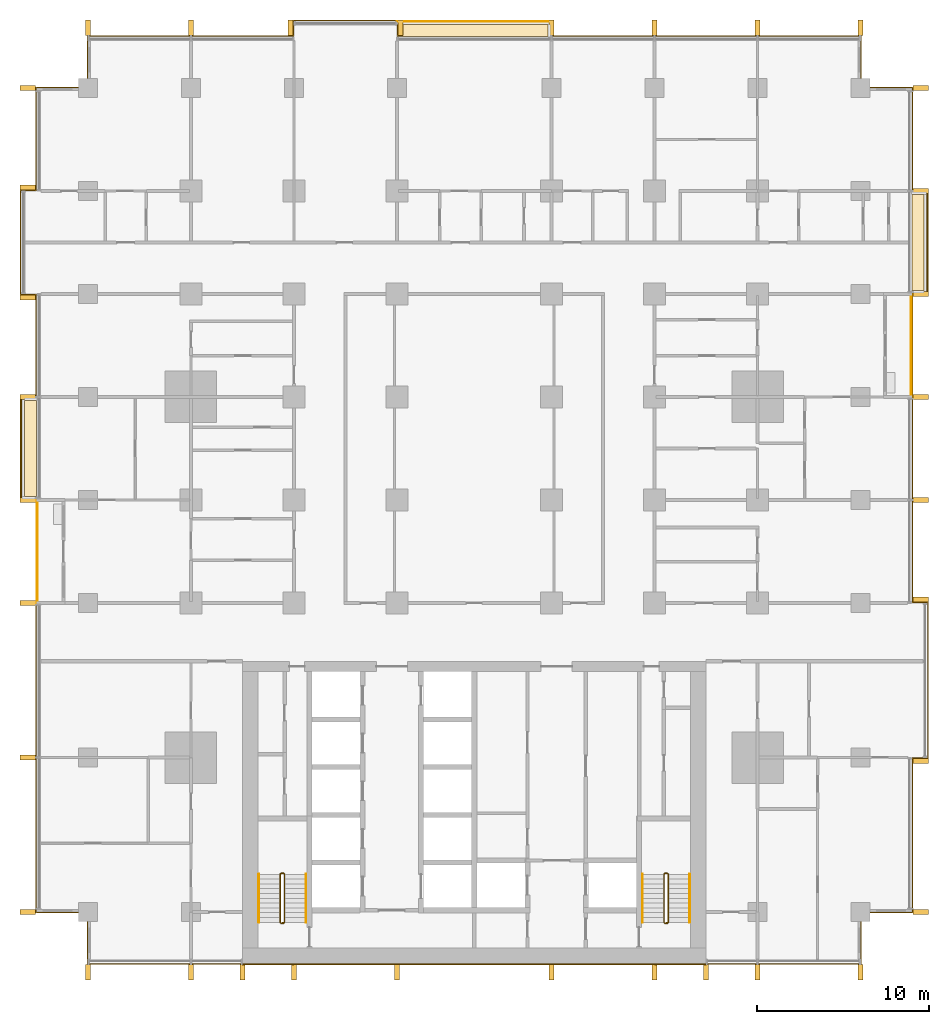
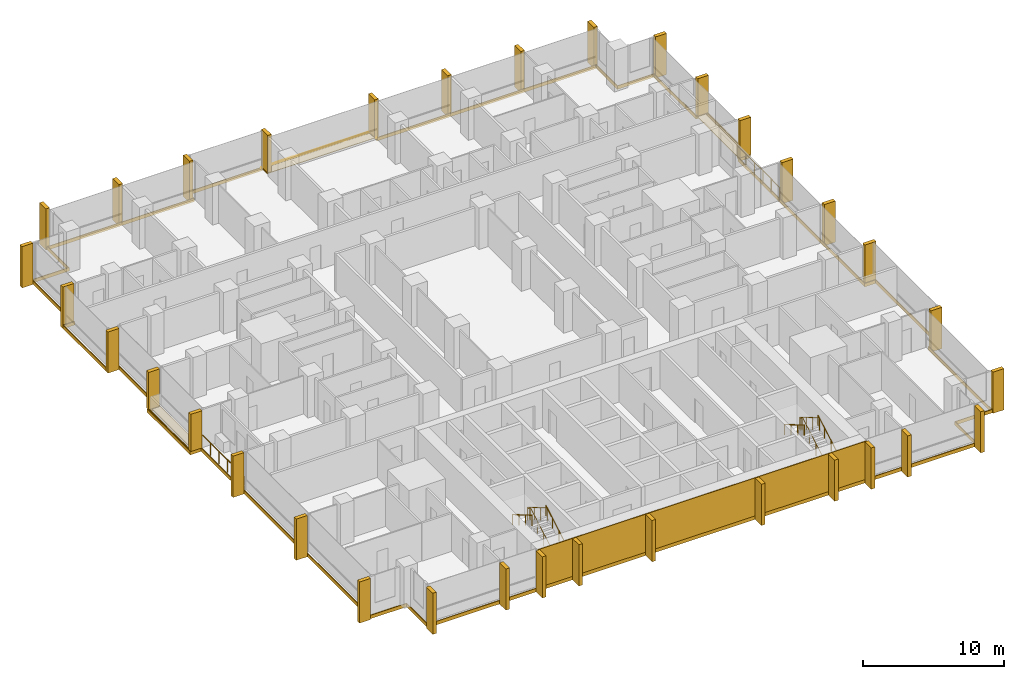
# One storey, part 18 of 18: 34 shading devices, 12 coverings, 8 railings.
"""IFC4 building model written with IfcOpenShell, lengths in metres."""

from ifc_helpers import new_model, si_unit, direction, frame, origin, origin_2d, place, context, subcontext, project, spatial, polyline, rectangle, circle, outline, extrude, material, layer, layer_set, type_object, element, save


model = new_model("IFC4")

# Units and contexts
model_context = context("Model", 3, precision=1e-05, world=origin(), true_north=direction((0.0, 1.0)))
body_context = subcontext(model_context, "Body", "Model", "MODEL_VIEW")
ifc_project = project(units=[si_unit("LENGTHUNIT", "METRE"), si_unit("AREAUNIT", "SQUARE_METRE"), si_unit("VOLUMEUNIT", "CUBIC_METRE"), si_unit("PLANEANGLEUNIT", "RADIAN"), si_unit("MASSUNIT", "GRAM", prefix="KILO")], contexts=[model_context])

# Site, building, storey
site_placement = place(None, origin())
site = spatial("IfcSite", under=ifc_project, at=site_placement, CompositionType="ELEMENT")
building_placement = place(site_placement, origin())
building = spatial("IfcBuilding", under=site, at=building_placement, Name="Finial Court Residences", CompositionType="ELEMENT")
storey_placement = place(building_placement, frame((0.0, 0.0, 36.10009765625)))
storey = spatial("IfcBuildingStorey", under=building, at=storey_placement, Name="L07", CompositionType="ELEMENT", Elevation=36.10009765625)

# Railings
ifc_material_1 = material(Name="Bronze anodised aluminium", Category="aluminium")
railing_type_1 = type_object("IfcRailingType", Name="Balcony guard 1100", PredefinedType="GUARDRAIL", material=ifc_material_1)
for number, where, name in (
    (1, (25.449951171875, 7.5, 0.0), "E-L07-BALE5-R"),
    (2, (-25.449951171875, -4.5, 0.0), "E-L07-BALW3-R"),
):
    element("IfcRailing", number, at=place(storey_placement, frame(where)), inside=storey, type_object=railing_type_1, Name=name, PredefinedType="GUARDRAIL", context=body_context, shape_type="SweptSolid", body=[
        extrude(circle(Radius=0.02392578125, at=origin_2d()), frame((0.0, 0.0, 1.076171875), z_axis=(0.0, 1.0, 0.0), x_axis=(-1.0, 0.0, 0.0)), (0.0, 0.0, 1.0), 6.0),
        extrude(circle(Radius=0.02099609375, at=origin_2d()), origin(), (0.0, 0.0, 1.0), 1.052001953125),
        extrude(circle(Radius=0.02099609375, at=origin_2d()), frame((0.0, 1.199951171875, 0.0)), (0.0, 0.0, 1.0), 1.052001953125),
        extrude(circle(Radius=0.02099609375, at=origin_2d()), frame((0.0, 2.39990234375, 0.0)), (0.0, 0.0, 1.0), 1.052001953125),
        extrude(circle(Radius=0.02099609375, at=origin_2d()), frame((0.0, 3.60009765625, 0.0)), (0.0, 0.0, 1.0), 1.052001953125),
        extrude(circle(Radius=0.02099609375, at=origin_2d()), frame((0.0, 4.800048828125, 0.0)), (0.0, 0.0, 1.0), 1.052001953125),
        extrude(circle(Radius=0.02099609375, at=origin_2d()), frame((0.0, 6.0, 0.0)), (0.0, 0.0, 1.0), 1.052001953125),
    ])

# Coverings
ifc_material_2 = material(Name="Natural limestone", Category="masonry")
ifc_layer_1 = layer(ifc_material_2, 0.06005859375)
ifc_layer_set_1 = layer_set([ifc_layer_1], Name="Limestone cladding to the blind core face 60")
covering_type_1 = type_object("IfcCoveringType", Name="Limestone cladding to the blind core face 60", PredefinedType="CLADDING", material=ifc_layer_set_1)
covering_1_placement = place(storey_placement, origin())
element("IfcCovering", 3, at=covering_1_placement, inside=storey, type_object=covering_type_1, Name="E-L07-CLAD1", PredefinedType="CLADDING", context=body_context, shape_type="SweptSolid", body=[
    extrude(outline(polyline([(-10.5, -25.56005859375), (-10.5, -25.5), (-13.5, -25.5), (-13.5, -25.56005859375), (-10.5, -25.56005859375)])), origin(), (0.0, 0.0, 1.0), 3.2998046875),
])
covering_2_placement = place(storey_placement, origin())
element("IfcCovering", 4, at=covering_2_placement, inside=storey, type_object=covering_type_1, Name="E-L07-CLAD2", PredefinedType="CLADDING", context=body_context, shape_type="SweptSolid", body=[
    extrude(outline(polyline([(-4.5, -25.56005859375), (-4.5, -25.5), (-10.5, -25.5), (-10.5, -25.56005859375), (-4.5, -25.56005859375)])), origin(), (0.0, 0.0, 1.0), 3.2998046875),
])
covering_3_placement = place(storey_placement, origin())
element("IfcCovering", 5, at=covering_3_placement, inside=storey, type_object=covering_type_1, Name="E-L07-CLAD3", PredefinedType="CLADDING", context=body_context, shape_type="SweptSolid", body=[
    extrude(outline(polyline([(4.5, -25.56005859375), (4.5, -25.5), (-4.5, -25.5), (-4.5, -25.56005859375), (4.5, -25.56005859375)])), origin(), (0.0, 0.0, 1.0), 3.2998046875),
])
covering_4_placement = place(storey_placement, origin())
element("IfcCovering", 6, at=covering_4_placement, inside=storey, type_object=covering_type_1, Name="E-L07-CLAD4", PredefinedType="CLADDING", context=body_context, shape_type="SweptSolid", body=[
    extrude(outline(polyline([(10.5, -25.56005859375), (10.5, -25.5), (4.5, -25.5), (4.5, -25.56005859375), (10.5, -25.56005859375)])), origin(), (0.0, 0.0, 1.0), 3.2998046875),
])
covering_5_placement = place(storey_placement, origin())
element("IfcCovering", 7, at=covering_5_placement, inside=storey, type_object=covering_type_1, Name="E-L07-CLAD5", PredefinedType="CLADDING", context=body_context, shape_type="SweptSolid", body=[
    extrude(outline(polyline([(13.5, -25.56005859375), (13.5, -25.5), (10.5, -25.5), (10.5, -25.56005859375), (13.5, -25.56005859375)])), origin(), (0.0, 0.0, 1.0), 3.2998046875),
])

# Shading devices
shading_device_type = type_object("IfcShadingDeviceType", Name="Limestone fin 300 x 900", PredefinedType="USERDEFINED", material=ifc_material_2)
for number, where, z_axis, x_axis, name in (
    (8, (-22.5, 29.010009765625, -0.300048828125), (0.0, 0.0, 1.0), (1.0, 0.0, 0.0), "E-L07-FIN-N1"),
    (9, (-16.5, 29.010009765625, -0.300048828125), (0.0, 0.0, 1.0), (1.0, 0.0, 0.0), "E-L07-FIN-N2"),
    (10, (-10.7099609375, 29.010009765625, -0.300048828125), (0.0, 0.0, 1.0), (1.0, 0.0, 0.0), "E-L07-FIN-N3"),
):
    element("IfcShadingDevice", number, at=place(storey_placement, frame(where, z_axis=z_axis, x_axis=x_axis)), inside=storey, type_object=shading_device_type, Name=name, ObjectType="FIN", PredefinedType="USERDEFINED", context=body_context, shape_type="SweptSolid", body=[
        extrude(rectangle(XDim=0.300048828125, YDim=0.89990234375, at=origin_2d()), origin(), (0.0, 0.0, 1.0), 3.580078125),
    ])
for number, where, z_axis, x_axis, name in (
    (11, (-4.2900390625, 29.010009765625, 0.0400390625), (0.0, 0.0, 1.0), (1.0, 0.0, 0.0), "E-L07-FIN-N4"),
    (12, (4.5, 29.010009765625, 0.0400390625), (0.0, 0.0, 1.0), (1.0, 0.0, 0.0), "E-L07-FIN-N5"),
):
    element("IfcShadingDevice", number, at=place(storey_placement, frame(where, z_axis=z_axis, x_axis=x_axis)), inside=storey, type_object=shading_device_type, Name=name, ObjectType="FIN", PredefinedType="USERDEFINED", context=body_context, shape_type="SweptSolid", body=[
        extrude(rectangle(XDim=0.300048828125, YDim=0.89990234375, at=origin_2d()), origin(), (0.0, 0.0, 1.0), 3.239990234375),
    ])
for number, where, z_axis, x_axis, name in (
    (13, (10.5, 29.010009765625, -0.300048828125), (0.0, 0.0, 1.0), (1.0, 0.0, 0.0), "E-L07-FIN-N6"),
    (14, (16.5, 29.010009765625, -0.300048828125), (0.0, 0.0, 1.0), (1.0, 0.0, 0.0), "E-L07-FIN-N7"),
    (15, (22.5, 29.010009765625, -0.300048828125), (0.0, 0.0, 1.0), (1.0, 0.0, 0.0), "E-L07-FIN-N8"),
):
    element("IfcShadingDevice", number, at=place(storey_placement, frame(where, z_axis=z_axis, x_axis=x_axis)), inside=storey, type_object=shading_device_type, Name=name, ObjectType="FIN", PredefinedType="USERDEFINED", context=body_context, shape_type="SweptSolid", body=[
        extrude(rectangle(XDim=0.300048828125, YDim=0.89990234375, at=origin_2d()), origin(), (0.0, 0.0, 1.0), 3.580078125),
    ])
for number, where, z_axis, x_axis, name in (
    (16, (26.010009765625, -22.5, -0.300048828125), (0.0, 0.0, 1.0), (1.0, 0.0, 0.0), "E-L07-FIN-E9"),
    (17, (26.010009765625, -13.7099609375, -0.300048828125), (0.0, 0.0, 1.0), (1.0, 0.0, 0.0), "E-L07-FIN-E10"),
    (18, (26.010009765625, -4.2900390625, -0.300048828125), (0.0, 0.0, 1.0), (1.0, 0.0, 0.0), "E-L07-FIN-E11"),
    (19, (26.010009765625, 1.5, -0.300048828125), (0.0, 0.0, 1.0), (1.0, 0.0, 0.0), "E-L07-FIN-E12"),
    (20, (26.010009765625, 7.5, -0.300048828125), (0.0, 0.0, 1.0), (1.0, 0.0, 0.0), "E-L07-FIN-E13"),
):
    element("IfcShadingDevice", number, at=place(storey_placement, frame(where, z_axis=z_axis, x_axis=x_axis)), inside=storey, type_object=shading_device_type, Name=name, ObjectType="FIN", PredefinedType="USERDEFINED", context=body_context, shape_type="SweptSolid", body=[
        extrude(rectangle(XDim=0.89990234375, YDim=0.300048828125, at=origin_2d()), origin(), (0.0, 0.0, 1.0), 3.580078125),
    ])
for number, where, z_axis, x_axis, name in (
    (21, (26.010009765625, 13.5, 0.0400390625), (0.0, 0.0, 1.0), (1.0, 0.0, 0.0), "E-L07-FIN-E14"),
    (22, (26.010009765625, 19.5, 0.0400390625), (0.0, 0.0, 1.0), (1.0, 0.0, 0.0), "E-L07-FIN-E15"),
):
    element("IfcShadingDevice", number, at=place(storey_placement, frame(where, z_axis=z_axis, x_axis=x_axis)), inside=storey, type_object=shading_device_type, Name=name, ObjectType="FIN", PredefinedType="USERDEFINED", context=body_context, shape_type="SweptSolid", body=[
        extrude(rectangle(XDim=0.89990234375, YDim=0.300048828125, at=origin_2d()), origin(), (0.0, 0.0, 1.0), 3.239990234375),
    ])
shading_device_placement = place(storey_placement, frame((26.010009765625, 25.5, -0.300048828125), z_axis=(0.0, 0.0, 1.0), x_axis=(1.0, 0.0, 0.0)))
element("IfcShadingDevice", 23, at=shading_device_placement, inside=storey, type_object=shading_device_type, Name="E-L07-FIN-E16", ObjectType="FIN", PredefinedType="USERDEFINED", context=body_context, shape_type="SweptSolid", body=[
    extrude(rectangle(XDim=0.89990234375, YDim=0.300048828125, at=origin_2d()), origin(), (0.0, 0.0, 1.0), 3.580078125),
])
for number, where, z_axis, x_axis, name in (
    (24, (-22.5, -26.010009765625, -0.300048828125), (0.0, 0.0, 1.0), (1.0, 0.0, 0.0), "E-L07-FIN-S17"),
    (25, (-16.5, -26.010009765625, -0.300048828125), (0.0, 0.0, 1.0), (1.0, 0.0, 0.0), "E-L07-FIN-S18"),
    (26, (-13.5, -26.010009765625, -0.300048828125), (0.0, 0.0, 1.0), (1.0, 0.0, 0.0), "E-L07-FIN-S19"),
    (27, (-10.5, -26.010009765625, -0.300048828125), (0.0, 0.0, 1.0), (1.0, 0.0, 0.0), "E-L07-FIN-S20"),
    (28, (-4.5, -26.010009765625, -0.300048828125), (0.0, 0.0, 1.0), (1.0, 0.0, 0.0), "E-L07-FIN-S21"),
    (29, (4.5, -26.010009765625, -0.300048828125), (0.0, 0.0, 1.0), (1.0, 0.0, 0.0), "E-L07-FIN-S22"),
    (30, (10.5, -26.010009765625, -0.300048828125), (0.0, 0.0, 1.0), (1.0, 0.0, 0.0), "E-L07-FIN-S23"),
    (31, (13.5, -26.010009765625, -0.300048828125), (0.0, 0.0, 1.0), (1.0, 0.0, 0.0), "E-L07-FIN-S24"),
    (32, (16.5, -26.010009765625, -0.300048828125), (0.0, 0.0, 1.0), (1.0, 0.0, 0.0), "E-L07-FIN-S25"),
    (33, (22.5, -26.010009765625, -0.300048828125), (0.0, 0.0, 1.0), (1.0, 0.0, 0.0), "E-L07-FIN-S26"),
):
    element("IfcShadingDevice", number, at=place(storey_placement, frame(where, z_axis=z_axis, x_axis=x_axis)), inside=storey, type_object=shading_device_type, Name=name, ObjectType="FIN", PredefinedType="USERDEFINED", context=body_context, shape_type="SweptSolid", body=[
        extrude(rectangle(XDim=0.300048828125, YDim=0.89990234375, at=origin_2d()), origin(), (0.0, 0.0, 1.0), 3.580078125),
    ])
for number, where, z_axis, x_axis, name in (
    (34, (-26.010009765625, -22.5, -0.300048828125), (0.0, 0.0, 1.0), (1.0, 0.0, 0.0), "E-L07-FIN-W27"),
    (35, (-26.010009765625, -13.5, -0.300048828125), (0.0, 0.0, 1.0), (1.0, 0.0, 0.0), "E-L07-FIN-W28"),
    (36, (-26.010009765625, -4.5, -0.300048828125), (0.0, 0.0, 1.0), (1.0, 0.0, 0.0), "E-L07-FIN-W29"),
):
    element("IfcShadingDevice", number, at=place(storey_placement, frame(where, z_axis=z_axis, x_axis=x_axis)), inside=storey, type_object=shading_device_type, Name=name, ObjectType="FIN", PredefinedType="USERDEFINED", context=body_context, shape_type="SweptSolid", body=[
        extrude(rectangle(XDim=0.89990234375, YDim=0.300048828125, at=origin_2d()), origin(), (0.0, 0.0, 1.0), 3.580078125),
    ])
for number, where, z_axis, x_axis, name in (
    (37, (-26.010009765625, 1.5, 0.0400390625), (0.0, 0.0, 1.0), (1.0, 0.0, 0.0), "E-L07-FIN-W30"),
    (38, (-26.010009765625, 7.5, 0.0400390625), (0.0, 0.0, 1.0), (1.0, 0.0, 0.0), "E-L07-FIN-W31"),
):
    element("IfcShadingDevice", number, at=place(storey_placement, frame(where, z_axis=z_axis, x_axis=x_axis)), inside=storey, type_object=shading_device_type, Name=name, ObjectType="FIN", PredefinedType="USERDEFINED", context=body_context, shape_type="SweptSolid", body=[
        extrude(rectangle(XDim=0.89990234375, YDim=0.300048828125, at=origin_2d()), origin(), (0.0, 0.0, 1.0), 3.239990234375),
    ])
for number, where, z_axis, x_axis, name in (
    (39, (-26.010009765625, 13.2900390625, -0.300048828125), (0.0, 0.0, 1.0), (1.0, 0.0, 0.0), "E-L07-FIN-W32"),
    (40, (-26.010009765625, 19.7099609375, -0.300048828125), (0.0, 0.0, 1.0), (1.0, 0.0, 0.0), "E-L07-FIN-W33"),
    (41, (-26.010009765625, 25.5, -0.300048828125), (0.0, 0.0, 1.0), (1.0, 0.0, 0.0), "E-L07-FIN-W34"),
):
    element("IfcShadingDevice", number, at=place(storey_placement, frame(where, z_axis=z_axis, x_axis=x_axis)), inside=storey, type_object=shading_device_type, Name=name, ObjectType="FIN", PredefinedType="USERDEFINED", context=body_context, shape_type="SweptSolid", body=[
        extrude(rectangle(XDim=0.89990234375, YDim=0.300048828125, at=origin_2d()), origin(), (0.0, 0.0, 1.0), 3.580078125),
    ])

# Coverings
ifc_material_3 = material(Name="Pale limestone", Category="masonry")
ifc_layer_2 = layer(ifc_material_3, 0.06005859375)
ifc_layer_set_2 = layer_set([ifc_layer_2], Name="Pale limestone slab-edge band 60")
covering_type_2 = type_object("IfcCoveringType", Name="Pale limestone slab-edge band 60", PredefinedType="CLADDING", material=ifc_layer_set_2)
covering_6_placement = place(storey_placement, frame((0.0, 0.0, -0.300048828125)))
element("IfcCovering", 42, at=covering_6_placement, inside=storey, type_object=covering_type_2, Name="E-L07-BAND1", PredefinedType="CLADDING", context=body_context, shape_type="SweptSolid", body=[
    extrude(outline(polyline([(-26.4599609375, 7.56005859375), (-25.56005859375, 7.56005859375), (-25.56005859375, 13.43994140625), (-26.4599609375, 13.43994140625), (-26.4599609375, 19.56005859375), (-25.56005859375, 19.56005859375), (-25.56005859375, 25.56005859375), (-22.56005859375, 25.56005859375), (-22.56005859375, 28.56005859375), (-10.56005859375, 28.56005859375), (-10.56005859375, 29.4599609375), (4.56005859375, 29.4599609375), (4.56005859375, 28.56005859375), (22.56005859375, 28.56005859375), (22.56005859375, 25.56005859375), (25.56005859375, 25.56005859375), (25.56005859375, 19.56005859375), (26.4599609375, 19.56005859375), (26.4599609375, 13.43994140625), (25.56005859375, 13.43994140625), (25.56005859375, -4.43994140625), (26.4599609375, -4.43994140625), (26.4599609375, -13.56005859375), (25.56005859375, -13.56005859375), (25.56005859375, -22.56005859375), (22.56005859375, -22.56005859375), (22.56005859375, -25.56005859375), (-22.56005859375, -25.56005859375), (-22.56005859375, -22.56005859375), (-25.56005859375, -22.56005859375), (-25.56005859375, 1.43994140625), (-26.4599609375, 1.43994140625), (-26.4599609375, 7.56005859375)]), holes=[polyline([(-25.5, 1.5), (-25.5, -4.5), (-25.5, -22.5), (-22.5, -22.5), (-22.5, -25.5), (22.5, -25.5), (22.5, -22.5), (25.5, -22.5), (25.5, -13.5), (26.39990234375, -13.5), (26.39990234375, -4.5), (25.5, -4.5), (25.5, 7.5), (25.5, 13.5), (26.39990234375, 13.5), (26.39990234375, 19.5), (25.5, 19.5), (25.5, 25.5), (22.5, 25.5), (22.5, 28.5), (4.5, 28.5), (4.5, 29.39990234375), (-4.5, 29.39990234375), (-10.5, 29.39990234375), (-10.5, 28.5), (-22.5, 28.5), (-22.5, 25.5), (-25.5, 25.5), (-25.5, 19.5), (-26.39990234375, 19.5), (-26.39990234375, 13.5), (-25.5, 13.5), (-25.5, 7.5), (-26.39990234375, 7.5), (-26.39990234375, 1.5), (-25.5, 1.5)])]), origin(), (0.0, 0.0, 1.0), 0.300048828125),
])
ifc_material_4 = material(Name="Bitumen membrane")
ifc_layer_3 = layer(ifc_material_4, 0.0400390625)
ifc_layer_set_3 = layer_set([ifc_layer_3], Name="Push box roofing, bitumen membrane 40")
covering_type_3 = type_object("IfcCoveringType", Name="Push box roofing, bitumen membrane 40", PredefinedType="ROOFING", material=ifc_layer_set_3)
covering_7_placement = place(storey_placement, origin())
element("IfcCovering", 43, at=covering_7_placement, inside=storey, type_object=covering_type_3, Name="E-L07-LED1", PredefinedType="ROOFING", context=body_context, shape_type="SweptSolid", body=[
    extrude(outline(polyline([(-25.5, 7.449951171875), (-26.199951171875, 7.449951171875), (-26.35009765625, 7.449951171875), (-26.35009765625, 1.699951171875), (-26.35009765625, 1.699951171875), (-26.35009765625, 1.550048828125), (-25.5, 1.550048828125), (-25.5, 1.5), (-26.39990234375, 1.5), (-26.39990234375, 7.5), (-25.5, 7.5), (-25.5, 7.449951171875)])), origin(), (0.0, 0.0, 1.0), 0.039794921875),
])
covering_8_placement = place(storey_placement, origin())
element("IfcCovering", 44, at=covering_8_placement, inside=storey, type_object=covering_type_3, Name="E-L07-LED1b", PredefinedType="ROOFING", context=body_context, shape_type="SweptSolid", body=[
    extrude(outline(polyline([(-25.5, 1.699951171875), (-26.199951171875, 1.699951171875), (-26.199951171875, 7.300048828125), (-25.5, 7.300048828125), (-25.5, 1.699951171875)])), origin(), (0.0, 0.0, 1.0), 0.039794921875),
])
covering_9_placement = place(storey_placement, origin())
element("IfcCovering", 45, at=covering_9_placement, inside=storey, type_object=covering_type_3, Name="E-L07-LED2", PredefinedType="ROOFING", context=body_context, shape_type="SweptSolid", body=[
    extrude(outline(polyline([(4.449951171875, 28.5), (4.449951171875, 29.199951171875), (4.449951171875, 29.35009765625), (-4.5, 29.35009765625), (-4.5, 29.39990234375), (4.5, 29.39990234375), (4.5, 28.5), (4.449951171875, 28.5)])), origin(), (0.0, 0.0, 1.0), 0.039794921875),
])
covering_10_placement = place(storey_placement, origin())
element("IfcCovering", 46, at=covering_10_placement, inside=storey, type_object=covering_type_3, Name="E-L07-LED2b", PredefinedType="ROOFING", context=body_context, shape_type="SweptSolid", body=[
    extrude(outline(polyline([(-4.5, 28.5), (-4.5, 29.199951171875), (4.300048828125, 29.199951171875), (4.300048828125, 28.5), (-4.5, 28.5)])), origin(), (0.0, 0.0, 1.0), 0.039794921875),
])
covering_11_placement = place(storey_placement, origin())
element("IfcCovering", 47, at=covering_11_placement, inside=storey, type_object=covering_type_3, Name="E-L07-LED3", PredefinedType="ROOFING", context=body_context, shape_type="SweptSolid", body=[
    extrude(outline(polyline([(25.5, 13.550048828125), (26.199951171875, 13.550048828125), (26.35009765625, 13.550048828125), (26.35009765625, 19.300048828125), (26.35009765625, 19.300048828125), (26.35009765625, 19.449951171875), (25.5, 19.449951171875), (25.5, 19.5), (26.39990234375, 19.5), (26.39990234375, 13.5), (25.5, 13.5), (25.5, 13.550048828125)])), origin(), (0.0, 0.0, 1.0), 0.039794921875),
])
covering_12_placement = place(storey_placement, origin())
element("IfcCovering", 48, at=covering_12_placement, inside=storey, type_object=covering_type_3, Name="E-L07-LED3b", PredefinedType="ROOFING", context=body_context, shape_type="SweptSolid", body=[
    extrude(outline(polyline([(25.5, 19.300048828125), (26.199951171875, 19.300048828125), (26.199951171875, 13.699951171875), (25.5, 13.699951171875), (25.5, 19.300048828125)])), origin(), (0.0, 0.0, 1.0), 0.039794921875),
])

# Railings
ifc_material_5 = material(Name="Stainless steel railing", Category="steel")
railing_type_2 = type_object("IfcRailingType", Name="Stair guard 1100", PredefinedType="GUARDRAIL", material=ifc_material_5)
railing_1_placement = place(storey_placement, frame((-11.10009765625, -23.14990234375, 0.0)))
element("IfcRailing", 49, at=railing_1_placement, inside=storey, type_object=railing_type_2, Name="L07 ST-1 stair guard 1", PredefinedType="GUARDRAIL", context=body_context, shape_type="SweptSolid", body=[
    extrude(circle(Radius=0.02392578125, at=origin_2d()), frame((0.0, 0.0, 1.076171875), z_axis=(-1.0, 0.0, 0.0), x_axis=(0.0, -1.0, 0.0)), (0.0, 0.0, 1.0), 0.14990234375),
    extrude(circle(Radius=0.02392578125, at=origin_2d()), frame((-0.14990234375, 0.0, 1.076171875), z_axis=(0.760004195007, 0.189305074214, 0.621737253547), x_axis=(-0.241699205484, 0.970351222016, 0.0)), (0.0, 0.0, 1.0), 0.26318359375),
    extrude(circle(Radius=0.02392578125, at=origin_2d()), frame((0.050048828125, 0.0498046875, 1.23974609375), z_axis=(0.0, 0.863393664356, 0.504530851732), x_axis=(-1.0, 0.0, 0.0)), (0.0, 0.0, 1.0), 3.2431640625),
    extrude(circle(Radius=0.02392578125, at=origin_2d()), frame((0.050048828125, 2.849853515625, 2.8759765625), z_axis=(-0.707106781187, 0.707106781187, 0.0), x_axis=(-0.707106781187, -0.707106781187, 0.0)), (0.0, 0.0, 1.0), 0.07080078125),
    extrude(circle(Radius=0.02392578125, at=origin_2d()), frame((0.0, 2.89990234375, 2.8759765625), z_axis=(-1.0, 0.0, 0.0), x_axis=(0.0, -1.0, 0.0)), (0.0, 0.0, 1.0), 0.14990234375),
    extrude(circle(Radius=0.02392578125, at=origin_2d()), frame((-0.14990234375, 2.89990234375, 2.8759765625), z_axis=(-0.280456126637, -0.280456126637, 0.917980785237), x_axis=(0.707106781187, -0.707106781187, 0.0)), (0.0, 0.0, 1.0), 0.178466796875),
    extrude(circle(Radius=0.02392578125, at=origin_2d()), frame((-0.199951171875, 2.849853515625, 3.03955078125), z_axis=(0.0, -0.863393664356, 0.504530851732), x_axis=(1.0, 0.0, 0.0)), (0.0, 0.0, 1.0), 3.2431640625),
    extrude(circle(Radius=0.02099609375, at=origin_2d()), origin(), (0.0, 0.0, 1.0), 1.052001953125),
    extrude(circle(Radius=0.02099609375, at=origin_2d()), frame((-0.14990234375, 0.0, 0.0)), (0.0, 0.0, 1.0), 1.052001953125),
    extrude(circle(Radius=0.02099609375, at=origin_2d()), frame((0.050048828125, 0.0498046875, 0.16357421875)), (0.0, 0.0, 1.0), 1.052001953125),
    extrude(circle(Radius=0.02099609375, at=origin_2d()), frame((0.050048828125, 0.983154296875, 0.708984375)), (0.0, 0.0, 1.0), 1.052001953125),
    extrude(circle(Radius=0.02099609375, at=origin_2d()), frame((0.050048828125, 1.91650390625, 1.25439453125)), (0.0, 0.0, 1.0), 1.052001953125),
    extrude(circle(Radius=0.02099609375, at=origin_2d()), frame((0.050048828125, 2.849853515625, 1.7998046875)), (0.0, 0.0, 1.0), 1.052001953125),
    extrude(circle(Radius=0.02099609375, at=origin_2d()), frame((0.0, 2.89990234375, 1.7998046875)), (0.0, 0.0, 1.0), 1.052001953125),
    extrude(circle(Radius=0.02099609375, at=origin_2d()), frame((-0.14990234375, 2.89990234375, 1.7998046875)), (0.0, 0.0, 1.0), 1.052001953125),
    extrude(circle(Radius=0.02099609375, at=origin_2d()), frame((-0.199951171875, 2.849853515625, 1.963623046875)), (0.0, 0.0, 1.0), 1.052001953125),
    extrude(circle(Radius=0.02099609375, at=origin_2d()), frame((-0.199951171875, 1.91650390625, 2.509033203125)), (0.0, 0.0, 1.0), 1.052001953125),
    extrude(circle(Radius=0.02099609375, at=origin_2d()), frame((-0.199951171875, 0.983154296875, 3.054443359375)), (0.0, 0.0, 1.0), 1.052001953125),
    extrude(circle(Radius=0.02099609375, at=origin_2d()), frame((-0.199951171875, 0.0498046875, 3.599853515625)), (0.0, 0.0, 1.0), 1.052001953125),
])
railing_2_placement = place(storey_placement, frame((11.25, -23.14990234375, 0.0)))
element("IfcRailing", 50, at=railing_2_placement, inside=storey, type_object=railing_type_2, Name="L07 ST-2 stair guard 1", PredefinedType="GUARDRAIL", context=body_context, shape_type="SweptSolid", body=[
    extrude(circle(Radius=0.02392578125, at=origin_2d()), frame((0.0, 0.0, 1.076171875), z_axis=(-1.0, 0.0, 0.0), x_axis=(0.0, -1.0, 0.0)), (0.0, 0.0, 1.0), 0.14990234375),
    extrude(circle(Radius=0.02392578125, at=origin_2d()), frame((-0.14990234375, 0.0, 1.076171875), z_axis=(0.760004195007, 0.189305074214, 0.621737253547), x_axis=(-0.241699205484, 0.970351222016, 0.0)), (0.0, 0.0, 1.0), 0.26318359375),
    extrude(circle(Radius=0.02392578125, at=origin_2d()), frame((0.050048828125, 0.0498046875, 1.23974609375), z_axis=(0.0, 0.863393664356, 0.504530851732), x_axis=(-1.0, 0.0, 0.0)), (0.0, 0.0, 1.0), 3.2431640625),
    extrude(circle(Radius=0.02392578125, at=origin_2d()), frame((0.050048828125, 2.849853515625, 2.8759765625), z_axis=(-0.707106781187, 0.707106781187, 0.0), x_axis=(-0.707106781187, -0.707106781187, 0.0)), (0.0, 0.0, 1.0), 0.07080078125),
    extrude(circle(Radius=0.02392578125, at=origin_2d()), frame((0.0, 2.89990234375, 2.8759765625), z_axis=(-1.0, 0.0, 0.0), x_axis=(0.0, -1.0, 0.0)), (0.0, 0.0, 1.0), 0.14990234375),
    extrude(circle(Radius=0.02392578125, at=origin_2d()), frame((-0.14990234375, 2.89990234375, 2.8759765625), z_axis=(-0.280456126637, -0.280456126637, 0.917980785237), x_axis=(0.707106781187, -0.707106781187, 0.0)), (0.0, 0.0, 1.0), 0.178466796875),
    extrude(circle(Radius=0.02392578125, at=origin_2d()), frame((-0.199951171875, 2.849853515625, 3.03955078125), z_axis=(0.0, -0.863393664356, 0.504530851732), x_axis=(1.0, 0.0, 0.0)), (0.0, 0.0, 1.0), 3.2431640625),
    extrude(circle(Radius=0.02099609375, at=origin_2d()), origin(), (0.0, 0.0, 1.0), 1.052001953125),
    extrude(circle(Radius=0.02099609375, at=origin_2d()), frame((-0.14990234375, 0.0, 0.0)), (0.0, 0.0, 1.0), 1.052001953125),
    extrude(circle(Radius=0.02099609375, at=origin_2d()), frame((0.050048828125, 0.0498046875, 0.16357421875)), (0.0, 0.0, 1.0), 1.052001953125),
    extrude(circle(Radius=0.02099609375, at=origin_2d()), frame((0.050048828125, 0.983154296875, 0.708984375)), (0.0, 0.0, 1.0), 1.052001953125),
    extrude(circle(Radius=0.02099609375, at=origin_2d()), frame((0.050048828125, 1.91650390625, 1.25439453125)), (0.0, 0.0, 1.0), 1.052001953125),
    extrude(circle(Radius=0.02099609375, at=origin_2d()), frame((0.050048828125, 2.849853515625, 1.7998046875)), (0.0, 0.0, 1.0), 1.052001953125),
    extrude(circle(Radius=0.02099609375, at=origin_2d()), frame((0.0, 2.89990234375, 1.7998046875)), (0.0, 0.0, 1.0), 1.052001953125),
    extrude(circle(Radius=0.02099609375, at=origin_2d()), frame((-0.14990234375, 2.89990234375, 1.7998046875)), (0.0, 0.0, 1.0), 1.052001953125),
    extrude(circle(Radius=0.02099609375, at=origin_2d()), frame((-0.199951171875, 2.849853515625, 1.963623046875)), (0.0, 0.0, 1.0), 1.052001953125),
    extrude(circle(Radius=0.02099609375, at=origin_2d()), frame((-0.199951171875, 1.91650390625, 2.509033203125)), (0.0, 0.0, 1.0), 1.052001953125),
    extrude(circle(Radius=0.02099609375, at=origin_2d()), frame((-0.199951171875, 0.983154296875, 3.054443359375)), (0.0, 0.0, 1.0), 1.052001953125),
    extrude(circle(Radius=0.02099609375, at=origin_2d()), frame((-0.199951171875, 0.0498046875, 3.599853515625)), (0.0, 0.0, 1.0), 1.052001953125),
])
railing_type_3 = type_object("IfcRailingType", Name="Stair handrail 900", PredefinedType="HANDRAIL", material=ifc_material_5)
railing_3_placement = place(storey_placement, frame((-9.800048828125, -23.10009765625, 0.16357421875)))
element("IfcRailing", 51, at=railing_3_placement, inside=storey, type_object=railing_type_3, Name="L07 ST-1 stair handrail 1", PredefinedType="HANDRAIL", context=body_context, shape_type="SweptSolid", body=[
    extrude(circle(Radius=0.02392578125, at=origin_2d()), frame((0.0, 0.0, 0.8759765625), z_axis=(0.0, 0.863393664356, 0.504530851732), x_axis=(-1.0, 0.0, 0.0)), (0.0, 0.0, 1.0), 3.2431640625),
    extrude(circle(Radius=0.02099609375, at=origin_2d()), origin(), (0.0, 0.0, 1.0), 0.851806640625),
    extrude(circle(Radius=0.02099609375, at=origin_2d()), frame((0.0, 0.933349609375, 0.54541015625)), (0.0, 0.0, 1.0), 0.851806640625),
    extrude(circle(Radius=0.02099609375, at=origin_2d()), frame((0.0, 1.86669921875, 1.0908203125)), (0.0, 0.0, 1.0), 0.851806640625),
    extrude(circle(Radius=0.02099609375, at=origin_2d()), frame((0.0, 2.800048828125, 1.63623046875)), (0.0, 0.0, 1.0), 0.851806640625),
])
railing_4_placement = place(storey_placement, frame((-12.550048828125, -20.300048828125, 1.963623046875)))
element("IfcRailing", 52, at=railing_4_placement, inside=storey, type_object=railing_type_3, Name="L07 ST-1 stair handrail 2", PredefinedType="HANDRAIL", context=body_context, shape_type="SweptSolid", body=[
    extrude(circle(Radius=0.02392578125, at=origin_2d()), frame((0.0, 0.0, 0.8759765625), z_axis=(0.0, -0.863393664356, 0.504530851732), x_axis=(1.0, 0.0, 0.0)), (0.0, 0.0, 1.0), 3.2431640625),
    extrude(circle(Radius=0.02099609375, at=origin_2d()), origin(), (0.0, 0.0, 1.0), 0.851806640625),
    extrude(circle(Radius=0.02099609375, at=origin_2d()), frame((0.0, -0.933349609375, 0.54541015625)), (0.0, 0.0, 1.0), 0.851806640625),
    extrude(circle(Radius=0.02099609375, at=origin_2d()), frame((0.0, -1.86669921875, 1.0908203125)), (0.0, 0.0, 1.0), 0.851806640625),
    extrude(circle(Radius=0.02099609375, at=origin_2d()), frame((0.0, -2.800048828125, 1.63623046875)), (0.0, 0.0, 1.0), 0.851806640625),
])
railing_5_placement = place(storey_placement, frame((12.550048828125, -23.10009765625, 0.16357421875)))
element("IfcRailing", 53, at=railing_5_placement, inside=storey, type_object=railing_type_3, Name="L07 ST-2 stair handrail 1", PredefinedType="HANDRAIL", context=body_context, shape_type="SweptSolid", body=[
    extrude(circle(Radius=0.02392578125, at=origin_2d()), frame((0.0, 0.0, 0.8759765625), z_axis=(0.0, 0.863393664356, 0.504530851732), x_axis=(-1.0, 0.0, 0.0)), (0.0, 0.0, 1.0), 3.2431640625),
    extrude(circle(Radius=0.02099609375, at=origin_2d()), origin(), (0.0, 0.0, 1.0), 0.851806640625),
    extrude(circle(Radius=0.02099609375, at=origin_2d()), frame((0.0, 0.933349609375, 0.54541015625)), (0.0, 0.0, 1.0), 0.851806640625),
    extrude(circle(Radius=0.02099609375, at=origin_2d()), frame((0.0, 1.86669921875, 1.0908203125)), (0.0, 0.0, 1.0), 0.851806640625),
    extrude(circle(Radius=0.02099609375, at=origin_2d()), frame((0.0, 2.800048828125, 1.63623046875)), (0.0, 0.0, 1.0), 0.851806640625),
])
railing_6_placement = place(storey_placement, frame((9.800048828125, -20.300048828125, 1.963623046875)))
element("IfcRailing", 54, at=railing_6_placement, inside=storey, type_object=railing_type_3, Name="L07 ST-2 stair handrail 2", PredefinedType="HANDRAIL", context=body_context, shape_type="SweptSolid", body=[
    extrude(circle(Radius=0.02392578125, at=origin_2d()), frame((0.0, 0.0, 0.8759765625), z_axis=(0.0, -0.863393664356, 0.504530851732), x_axis=(1.0, 0.0, 0.0)), (0.0, 0.0, 1.0), 3.2431640625),
    extrude(circle(Radius=0.02099609375, at=origin_2d()), origin(), (0.0, 0.0, 1.0), 0.851806640625),
    extrude(circle(Radius=0.02099609375, at=origin_2d()), frame((0.0, -0.933349609375, 0.54541015625)), (0.0, 0.0, 1.0), 0.851806640625),
    extrude(circle(Radius=0.02099609375, at=origin_2d()), frame((0.0, -1.86669921875, 1.0908203125)), (0.0, 0.0, 1.0), 0.851806640625),
    extrude(circle(Radius=0.02099609375, at=origin_2d()), frame((0.0, -2.800048828125, 1.63623046875)), (0.0, 0.0, 1.0), 0.851806640625),
])

save(model, "model.ifc")
